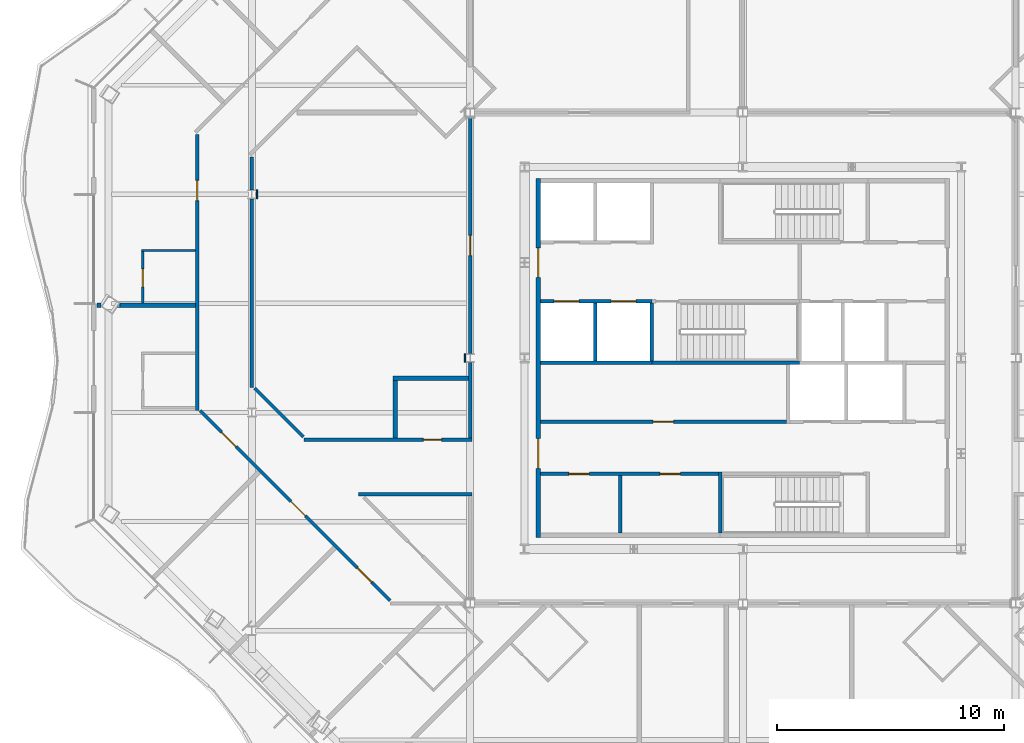
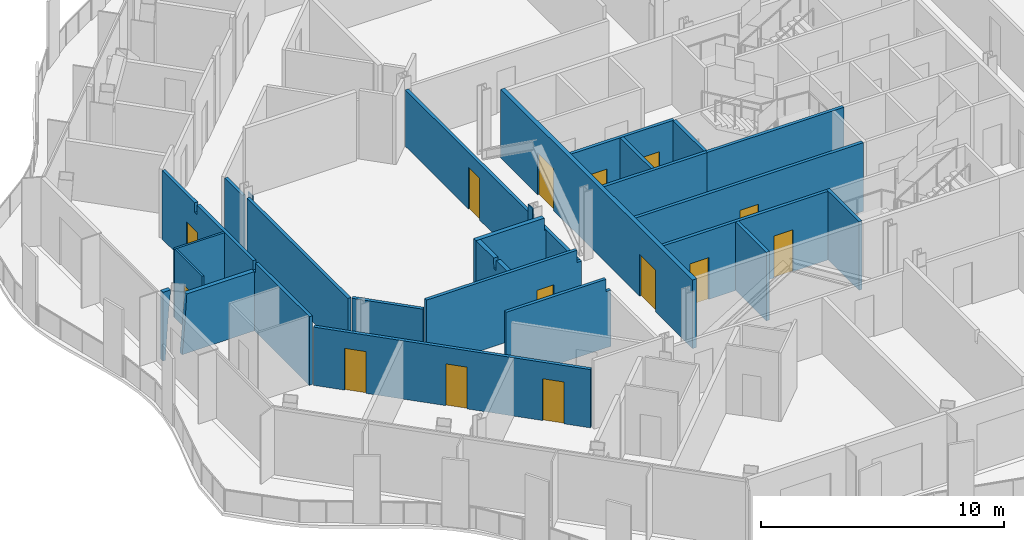
# One storey, part 8 of 21: 27 walls, 14 doors, 14 openings.
"""IFC4 building model written with IfcOpenShell, lengths in metres."""

from ifc_helpers import new_model, si_unit, direction, frame, frame_2d, origin, place, context, subcontext, project, spatial, polyline, rectangle, outline, extrude, material, layer, layer_set, type_object, element, fill, save


model = new_model("IFC4")

# Units and contexts
model_context = context("Model", 3, precision=1e-05, world=origin(), true_north=direction((0.0, 1.0)))
body_context = subcontext(model_context, "Body", "Model", "MODEL_VIEW")
ifc_project = project(units=[si_unit("LENGTHUNIT", "METRE"), si_unit("AREAUNIT", "SQUARE_METRE"), si_unit("VOLUMEUNIT", "CUBIC_METRE"), si_unit("PLANEANGLEUNIT", "RADIAN"), si_unit("MASSUNIT", "GRAM", prefix="KILO")], contexts=[model_context])

# Site, building, storey
site_placement = place(None, origin())
site = spatial("IfcSite", under=ifc_project, at=site_placement, CompositionType="ELEMENT")
building_placement = place(site_placement, origin())
building = spatial("IfcBuilding", under=site, at=building_placement, Name="Cairn Pilgrim Tower", CompositionType="ELEMENT")
storey_placement = place(building_placement, frame((0.0, 0.0, 172.199951171875)))
storey = spatial("IfcBuildingStorey", under=building, at=storey_placement, Name="L43", CompositionType="ELEMENT", Elevation=172.199951171875)

# Wall, openings, doors
ifc_material_1 = material(Name="Concrete C32/40", Category="concrete")
ifc_layer_1 = layer(ifc_material_1, 0.199951171875)
ifc_layer_set_1 = layer_set([ifc_layer_1], Name="CORE OUTER WALL 200 EI 120")
wall_type_1 = type_object("IfcWallType", Name="CORE OUTER WALL 200 EI 120", PredefinedType="SOLIDWALL", material=ifc_layer_set_1)
wall_1_placement = place(storey_placement, frame((-1.800048828125, -5.5, 0.0), z_axis=(0.0, 0.0, 1.0), x_axis=(0.0, 1.0, 0.0)))
wall_1 = element("IfcWall", 1, at=wall_1_placement, inside=storey, type_object=wall_type_1, Name="CW:L43:V13", PredefinedType="SOLIDWALL", context=body_context, shape_type="SweptSolid", body=[
    extrude(rectangle(XDim=15.800048828125, YDim=0.199951171875, at=frame_2d((7.89990234375, 0.0))), origin(), (0.0, 0.0, 1.0), 3.449951171875),
])
opening_1_placement = place(wall_1_placement, frame((3.050048828125, 0.0, 0.0)))
opening_1 = element("IfcOpeningElement", 2, at=opening_1_placement, cuts=wall_1, Name="Opening CD-W1", PredefinedType="OPENING", context=body_context, shape_type="SweptSolid", body=[
    extrude(rectangle(XDim=1.300048828125, YDim=2.10009765625, at=frame_2d((0.64990234375, 1.050048828125))), frame((0.0, 0.10986328125, 0.0), z_axis=(0.0, -1.0, 0.0), x_axis=(1.0, 0.0, 0.0)), (0.0, 0.0, 1.0), 0.219970703125),
])
opening_2_placement = place(wall_1_placement, frame((11.449951171875, 0.0, 0.0)))
opening_2 = element("IfcOpeningElement", 3, at=opening_2_placement, cuts=wall_1, Name="Opening CD-W2", PredefinedType="OPENING", context=body_context, shape_type="SweptSolid", body=[
    extrude(rectangle(XDim=1.300048828125, YDim=2.10009765625, at=frame_2d((0.64990234375, 1.050048828125))), frame((0.0, 0.10986328125, 0.0), z_axis=(0.0, -1.0, 0.0), x_axis=(1.0, 0.0, 0.0)), (0.0, 0.0, 1.0), 0.219970703125),
])
ifc_material_2 = material(Name="Painted steel", Category="steel")
door_type_1 = type_object("IfcDoorType", Name="CORE LOBBY DOOR 1300x2100", OperationType="DOUBLE_DOOR_SINGLE_SWING", PredefinedType="DOOR", material=ifc_material_2)
door_1_placement = place(opening_1_placement, origin())
door_1 = element("IfcDoor", 4, at=door_1_placement, inside=storey, type_object=door_type_1, Name="CD-W1", OperationType="DOUBLE_DOOR_SINGLE_SWING", OverallHeight=2.10009765625, OverallWidth=1.300048828125, PredefinedType="DOOR", context=body_context, shape_type="SweptSolid", body=[
    extrude(rectangle(XDim=1.300048828125, YDim=2.10009765625, at=frame_2d((0.64990234375, 1.050048828125))), frame((0.0, 0.02490234375, 0.0), z_axis=(0.0, -1.0, 0.0), x_axis=(1.0, 0.0, 0.0)), (0.0, 0.0, 1.0), 0.050048828125),
])
fill(opening_1, door_1)
door_2_placement = place(opening_2_placement, origin())
door_2 = element("IfcDoor", 5, at=door_2_placement, inside=storey, type_object=door_type_1, Name="CD-W2", OperationType="DOUBLE_DOOR_SINGLE_SWING", OverallHeight=2.10009765625, OverallWidth=1.300048828125, PredefinedType="DOOR", context=body_context, shape_type="SweptSolid", body=[
    extrude(rectangle(XDim=1.300048828125, YDim=2.10009765625, at=frame_2d((0.64990234375, 1.050048828125))), frame((0.0, 0.02490234375, 0.0), z_axis=(0.0, -1.0, 0.0), x_axis=(1.0, 0.0, 0.0)), (0.0, 0.0, 1.0), 0.050048828125),
])
fill(opening_2, door_2)

ifc_layer_2 = layer(ifc_material_1, 0.14990234375)
ifc_layer_set_2 = layer_set([ifc_layer_2], Name="CORE PARTITION 150 EI 60")
wall_type_2 = type_object("IfcWallType", Name="CORE PARTITION 150 EI 60", PredefinedType="PARTITIONING", material=ifc_layer_set_2)
wall_2_placement = place(storey_placement, frame((-1.699951171875, -2.699951171875, 0.0), z_axis=(0.0, 0.0, 1.0), x_axis=(1.0, 0.0, 0.0)))
wall_2 = element("IfcWall", 6, at=wall_2_placement, inside=storey, type_object=wall_type_2, Name="CW:L43:H02", PredefinedType="PARTITIONING", context=body_context, shape_type="SweptSolid", body=[
    extrude(rectangle(XDim=7.824951171875, YDim=0.14990234375, at=frame_2d((3.91259765625, 0.0))), origin(), (0.0, 0.0, 1.0), 3.449951171875),
])
opening_3_placement = place(wall_2_placement, frame((1.25, 0.0, 0.0)))
opening_3 = element("IfcOpeningElement", 7, at=opening_3_placement, cuts=wall_2, Name="Opening RD-R1W1", PredefinedType="OPENING", context=body_context, shape_type="SweptSolid", body=[
    extrude(rectangle(XDim=0.89990234375, YDim=2.10009765625, at=frame_2d((0.449951171875, 1.050048828125))), frame((0.0, 0.0849609375, 0.0), z_axis=(0.0, -1.0, 0.0), x_axis=(1.0, 0.0, 0.0)), (0.0, 0.0, 1.0), 0.169921875),
])
opening_4_placement = place(wall_2_placement, frame((5.25, 0.0, 0.0)))
opening_4 = element("IfcOpeningElement", 8, at=opening_4_placement, cuts=wall_2, Name="Opening RD-R1W2", PredefinedType="OPENING", context=body_context, shape_type="SweptSolid", body=[
    extrude(rectangle(XDim=0.89990234375, YDim=2.10009765625, at=frame_2d((0.449951171875, 1.050048828125))), frame((0.0, 0.0849609375, 0.0), z_axis=(0.0, -1.0, 0.0), x_axis=(1.0, 0.0, 0.0)), (0.0, 0.0, 1.0), 0.169921875),
])
door_type_2 = type_object("IfcDoorType", Name="SERVICE ROOM DOOR 900x2100", OperationType="SINGLE_SWING_LEFT", PredefinedType="DOOR", material=ifc_material_2)
door_3_placement = place(opening_3_placement, origin())
door_3 = element("IfcDoor", 9, at=door_3_placement, inside=storey, type_object=door_type_2, Name="RD-R1W1", OperationType="SINGLE_SWING_RIGHT", OverallHeight=2.10009765625, OverallWidth=0.89990234375, PredefinedType="DOOR", context=body_context, shape_type="SweptSolid", body=[
    extrude(rectangle(XDim=0.89990234375, YDim=2.10009765625, at=frame_2d((0.449951171875, 1.050048828125))), frame((0.0, 0.02490234375, 0.0), z_axis=(0.0, -1.0, 0.0), x_axis=(1.0, 0.0, 0.0)), (0.0, 0.0, 1.0), 0.050048828125),
])
fill(opening_3, door_3)
door_4_placement = place(opening_4_placement, origin())
door_4 = element("IfcDoor", 10, at=door_4_placement, inside=storey, type_object=door_type_2, Name="RD-R1W2", OperationType="SINGLE_SWING_LEFT", OverallHeight=2.10009765625, OverallWidth=0.89990234375, PredefinedType="DOOR", context=body_context, shape_type="SweptSolid", body=[
    extrude(rectangle(XDim=0.89990234375, YDim=2.10009765625, at=frame_2d((0.449951171875, 1.050048828125))), frame((0.0, 0.02490234375, 0.0), z_axis=(0.0, -1.0, 0.0), x_axis=(1.0, 0.0, 0.0)), (0.0, 0.0, 1.0), 0.050048828125),
])
fill(opening_4, door_4)

# Wall, opening, door
wall_3_placement = place(storey_placement, frame((-1.699951171875, -0.39990234375, 0.0), z_axis=(0.0, 0.0, 1.0), x_axis=(1.0, 0.0, 0.0)))
wall_3 = element("IfcWall", 11, at=wall_3_placement, inside=storey, type_object=wall_type_2, Name="CW:L43:H04", PredefinedType="PARTITIONING", context=body_context, shape_type="SweptSolid", body=[
    extrude(rectangle(XDim=10.824951171875, YDim=0.14990234375, at=frame_2d((5.41259765625, 0.0))), origin(), (0.0, 0.0, 1.0), 3.449951171875),
])
opening_5_placement = place(wall_3_placement, frame((4.949951171875, 0.0, 0.0)))
opening_5 = element("IfcOpeningElement", 12, at=opening_5_placement, cuts=wall_3, Name="Opening RD-R2W1", PredefinedType="OPENING", context=body_context, shape_type="SweptSolid", body=[
    extrude(rectangle(XDim=0.89990234375, YDim=2.10009765625, at=frame_2d((0.449951171875, 1.050048828125))), frame((0.0, 0.0849609375, 0.0), z_axis=(0.0, -1.0, 0.0), x_axis=(1.0, 0.0, 0.0)), (0.0, 0.0, 1.0), 0.169921875),
])
door_5_placement = place(opening_5_placement, origin())
door_5 = element("IfcDoor", 13, at=door_5_placement, inside=storey, type_object=door_type_2, Name="RD-R2W1", OperationType="SINGLE_SWING_RIGHT", OverallHeight=2.10009765625, OverallWidth=0.89990234375, PredefinedType="DOOR", context=body_context, shape_type="SweptSolid", body=[
    extrude(rectangle(XDim=0.89990234375, YDim=2.10009765625, at=frame_2d((0.449951171875, 1.050048828125))), frame((0.0, 0.02490234375, 0.0), z_axis=(0.0, -1.0, 0.0), x_axis=(1.0, 0.0, 0.0)), (0.0, 0.0, 1.0), 0.050048828125),
])
fill(opening_5, door_5)

# Walls
wall_4_placement = place(storey_placement, frame((1.800048828125, -5.300048828125, 0.0), z_axis=(0.0, 0.0, 1.0), x_axis=(0.0, 1.0, 0.0)))
element("IfcWall", 14, at=wall_4_placement, inside=storey, type_object=wall_type_2, Name="CW:L43:V16", PredefinedType="PARTITIONING", context=body_context, shape_type="SweptSolid", body=[
    extrude(rectangle(XDim=2.525146484375, YDim=0.14990234375, at=frame_2d((1.2626953125, 0.0))), origin(), (0.0, 0.0, 1.0), 3.449951171875),
])
ifc_layer_3 = layer(ifc_material_1, 0.14990234375)
ifc_layer_set_3 = layer_set([ifc_layer_3], Name="CORE SHAFT WALL 150 EI 120")
wall_type_3 = type_object("IfcWallType", Name="CORE SHAFT WALL 150 EI 120", PredefinedType="SOLIDWALL", material=ifc_layer_set_3)
wall_5_placement = place(storey_placement, frame((-1.699951171875, 2.199951171875, 0.0), z_axis=(0.0, 0.0, 1.0), x_axis=(1.0, 0.0, 0.0)))
element("IfcWall", 15, at=wall_5_placement, inside=storey, type_object=wall_type_3, Name="CW:L43:H07-1", PredefinedType="SOLIDWALL", context=body_context, shape_type="SweptSolid", body=[
    extrude(rectangle(XDim=4.89990234375, YDim=0.14990234375, at=frame_2d((2.449951171875, 0.0))), origin(), (0.0, 0.0, 1.0), 3.449951171875),
])

# Wall, openings, doors
wall_6_placement = place(storey_placement, frame((-1.699951171875, 4.89990234375, 0.0), z_axis=(0.0, 0.0, 1.0), x_axis=(1.0, 0.0, 0.0)))
wall_6 = element("IfcWall", 16, at=wall_6_placement, inside=storey, type_object=wall_type_3, Name="CW:L43:H09-1", PredefinedType="SOLIDWALL", context=body_context, shape_type="SweptSolid", body=[
    extrude(rectangle(XDim=4.89990234375, YDim=0.14990234375, at=frame_2d((2.449951171875, 0.0))), origin(), (0.0, 0.0, 1.0), 3.449951171875),
])
opening_6_placement = place(wall_6_placement, frame((0.60009765625, 0.0, 0.0)))
opening_6 = element("IfcOpeningElement", 17, at=opening_6_placement, cuts=wall_6, Name="Opening LD-HR1", PredefinedType="OPENING", context=body_context, shape_type="SweptSolid", body=[
    extrude(rectangle(XDim=1.10009765625, YDim=2.10009765625, at=frame_2d((0.550048828125, 1.050048828125))), frame((0.0, 0.0849609375, 0.0), z_axis=(0.0, -1.0, 0.0), x_axis=(1.0, 0.0, 0.0)), (0.0, 0.0, 1.0), 0.169921875),
])
opening_7_placement = place(wall_6_placement, frame((3.10009765625, 0.0, 0.0)))
opening_7 = element("IfcOpeningElement", 18, at=opening_7_placement, cuts=wall_6, Name="Opening LD-HR2", PredefinedType="OPENING", context=body_context, shape_type="SweptSolid", body=[
    extrude(rectangle(XDim=1.10009765625, YDim=2.10009765625, at=frame_2d((0.550048828125, 1.050048828125))), frame((0.0, 0.0849609375, 0.0), z_axis=(0.0, -1.0, 0.0), x_axis=(1.0, 0.0, 0.0)), (0.0, 0.0, 1.0), 0.169921875),
])
ifc_material_3 = material(Name="Stainless steel", Category="steel")
door_type_3 = type_object("IfcDoorType", Name="LIFT LANDING DOOR 1100x2100", OperationType="DOUBLE_DOOR_SLIDING", PredefinedType="DOOR", material=ifc_material_3)
door_6_placement = place(opening_6_placement, origin())
door_6 = element("IfcDoor", 19, at=door_6_placement, inside=storey, type_object=door_type_3, Name="LANDING DOOR HR1", OperationType="DOUBLE_DOOR_SLIDING", OverallHeight=2.10009765625, OverallWidth=1.10009765625, PredefinedType="DOOR", context=body_context, shape_type="SweptSolid", body=[
    extrude(rectangle(XDim=1.10009765625, YDim=2.10009765625, at=frame_2d((0.550048828125, 1.050048828125))), frame((0.0, 0.02490234375, 0.0), z_axis=(0.0, -1.0, 0.0), x_axis=(1.0, 0.0, 0.0)), (0.0, 0.0, 1.0), 0.050048828125),
])
fill(opening_6, door_6)
door_7_placement = place(opening_7_placement, origin())
door_7 = element("IfcDoor", 20, at=door_7_placement, inside=storey, type_object=door_type_3, Name="LANDING DOOR HR2", OperationType="DOUBLE_DOOR_SLIDING", OverallHeight=2.10009765625, OverallWidth=1.10009765625, PredefinedType="DOOR", context=body_context, shape_type="SweptSolid", body=[
    extrude(rectangle(XDim=1.10009765625, YDim=2.10009765625, at=frame_2d((0.550048828125, 1.050048828125))), frame((0.0, 0.02490234375, 0.0), z_axis=(0.0, -1.0, 0.0), x_axis=(1.0, 0.0, 0.0)), (0.0, 0.0, 1.0), 0.050048828125),
])
fill(opening_7, door_7)

# Wall
wall_7_placement = place(storey_placement, frame((0.699951171875, 2.27490234375, 0.0), z_axis=(0.0, 0.0, 1.0), x_axis=(0.0, 1.0, 0.0)))
element("IfcWall", 21, at=wall_7_placement, inside=storey, type_object=wall_type_3, Name="CW:L43:V14", PredefinedType="SOLIDWALL", context=body_context, shape_type="SweptSolid", body=[
    extrude(rectangle(XDim=2.550048828125, YDim=0.14990234375, at=frame_2d((1.27490234375, 0.0))), origin(), (0.0, 0.0, 1.0), 3.449951171875),
])

# Wall, opening, door
ifc_material_4 = material(Name="Gypsum partition")
ifc_layer_4 = layer(ifc_material_4, 0.10009765625)
ifc_layer_set_4 = layer_set([ifc_layer_4], Name="PARTITION 100 DRYWALL")
wall_type_4 = type_object("IfcWallType", Name="PARTITION 100 DRYWALL", PredefinedType="PARTITIONING", material=ifc_layer_set_4)
wall_8_placement = place(storey_placement, frame((-19.199951171875, 4.824951171875, 0.0), z_axis=(0.0, 0.0, 1.0), x_axis=(0.0, 1.0, 0.0)))
wall_8 = element("IfcWall", 22, at=wall_8_placement, inside=storey, type_object=wall_type_4, Name="PARTITION W068", PredefinedType="PARTITIONING", context=body_context, shape_type="SweptSolid", body=[
    extrude(rectangle(XDim=2.25, YDim=0.10009765625, at=frame_2d((1.125, 0.0))), origin(), (0.0, 0.0, 1.0), 3.449951171875),
])
opening_8_placement = place(wall_8_placement, frame((0.699951171875, 0.0, 0.0)))
opening_8 = element("IfcOpeningElement", 23, at=opening_8_placement, cuts=wall_8, Name="Opening 4320A", PredefinedType="OPENING", context=body_context, shape_type="SweptSolid", body=[
    extrude(rectangle(XDim=0.800048828125, YDim=2.10009765625, at=frame_2d((0.39990234375, 1.050048828125))), frame((0.0, 0.06005859375, 0.0), z_axis=(0.0, -1.0, 0.0), x_axis=(1.0, 0.0, 0.0)), (0.0, 0.0, 1.0), 0.1201171875),
])
ifc_material_5 = material(Name="Timber door leaf", Category="wood")
door_type_4 = type_object("IfcDoorType", Name="WC DOOR 800x2100", OperationType="NOTDEFINED", PredefinedType="DOOR", material=ifc_material_5)
door_8_placement = place(opening_8_placement, origin())
door_8 = element("IfcDoor", 24, at=door_8_placement, inside=storey, type_object=door_type_4, Name="DOOR 4320A", OperationType="SINGLE_SWING_RIGHT", OverallHeight=2.10009765625, OverallWidth=0.800048828125, PredefinedType="DOOR", context=body_context, shape_type="SweptSolid", body=[
    extrude(rectangle(XDim=0.800048828125, YDim=2.10009765625, at=frame_2d((0.39990234375, 1.050048828125))), frame((0.0, 0.02490234375, 0.0), z_axis=(0.0, -1.0, 0.0), x_axis=(1.0, 0.0, 0.0)), (0.0, 0.0, 1.0), 0.050048828125),
])
fill(opening_8, door_8)

# Wall
wall_9_placement = place(storey_placement, frame((-19.25, 7.125, 0.0), z_axis=(0.0, 0.0, 1.0), x_axis=(1.0, 0.0, 0.0)))
element("IfcWall", 25, at=wall_9_placement, inside=storey, type_object=wall_type_4, Name="PARTITION W071", PredefinedType="PARTITIONING", context=body_context, shape_type="SweptSolid", body=[
    extrude(rectangle(XDim=2.375, YDim=0.10009765625, at=frame_2d((1.1875, 0.0))), origin(), (0.0, 0.0, 1.0), 3.449951171875),
])

# Wall, openings, doors
ifc_layer_5 = layer(ifc_material_4, 0.14990234375)
ifc_layer_set_5 = layer_set([ifc_layer_5], Name="PARTITION 150 DRYWALL EI 60")
wall_type_5 = type_object("IfcWallType", Name="PARTITION 150 DRYWALL EI 60", PredefinedType="PARTITIONING", material=ifc_layer_set_5)
wall_10_placement = place(storey_placement, frame((-8.322021484375, -8.27197265625, 0.0), z_axis=(0.0, 0.0, 1.0), x_axis=(-0.707117118476, 0.707096443746, 0.0)))
wall_10 = element("IfcWall", 26, at=wall_10_placement, inside=storey, type_object=wall_type_5, Name="PARTITION W033", PredefinedType="PARTITIONING", context=body_context, shape_type="SweptSolid", body=[
    extrude(rectangle(XDim=11.80859375, YDim=0.14990234375, at=frame_2d((5.904296875, 0.0))), origin(), (0.0, 0.0, 1.0), 2.929931640625),
])
opening_9_placement = place(wall_10_placement, frame((9.579345703125, 0.0, 0.0)))
opening_9 = element("IfcOpeningElement", 27, at=opening_9_placement, cuts=wall_10, Name="Opening 4321", PredefinedType="OPENING", context=body_context, shape_type="SweptSolid", body=[
    extrude(rectangle(XDim=0.89990234375, YDim=2.10009765625, at=frame_2d((0.449951171875, 1.050048828125))), frame((0.0, 0.0849609375, 0.0), z_axis=(0.0, -1.0, 0.0), x_axis=(1.0, 0.0, 0.0)), (0.0, 0.0, 1.0), 0.169921875),
])
opening_10_placement = place(wall_10_placement, frame((5.263671875, 0.0, 0.0)))
opening_10 = element("IfcOpeningElement", 28, at=opening_10_placement, cuts=wall_10, Name="Opening 4322", PredefinedType="OPENING", context=body_context, shape_type="SweptSolid", body=[
    extrude(rectangle(XDim=0.89990234375, YDim=2.10009765625, at=frame_2d((0.449951171875, 1.050048828125))), frame((0.0, 0.0849609375, 0.0), z_axis=(0.0, -1.0, 0.0), x_axis=(1.0, 0.0, 0.0)), (0.0, 0.0, 1.0), 0.169921875),
])
opening_11_placement = place(wall_10_placement, frame((1.138916015625, 0.0, 0.0)))
opening_11 = element("IfcOpeningElement", 29, at=opening_11_placement, cuts=wall_10, Name="Opening 4323", PredefinedType="OPENING", context=body_context, shape_type="SweptSolid", body=[
    extrude(rectangle(XDim=0.89990234375, YDim=2.10009765625, at=frame_2d((0.449951171875, 1.050048828125))), frame((0.0, 0.0849609375, 0.0), z_axis=(0.0, -1.0, 0.0), x_axis=(1.0, 0.0, 0.0)), (0.0, 0.0, 1.0), 0.169921875),
])
door_type_5 = type_object("IfcDoorType", Name="ROOM DOOR 900x2100 FD30S", OperationType="NOTDEFINED", PredefinedType="DOOR", material=ifc_material_5)
door_9_placement = place(opening_9_placement, origin())
door_9 = element("IfcDoor", 30, at=door_9_placement, inside=storey, type_object=door_type_5, Name="DOOR 4321", OperationType="SINGLE_SWING_RIGHT", OverallHeight=2.10009765625, OverallWidth=0.89990234375, PredefinedType="DOOR", context=body_context, shape_type="SweptSolid", body=[
    extrude(rectangle(XDim=0.89990234375, YDim=2.10009765625, at=frame_2d((0.449951171875, 1.050048828125))), frame((0.0, 0.02490234375, 0.0), z_axis=(0.0, -1.0, 0.0), x_axis=(1.0, 0.0, 0.0)), (0.0, 0.0, 1.0), 0.050048828125),
])
fill(opening_9, door_9)
door_type_6 = type_object("IfcDoorType", Name="SERVICE DOOR 900x2100 FD30S", OperationType="NOTDEFINED", PredefinedType="DOOR", material=ifc_material_5)
door_10_placement = place(opening_10_placement, origin())
door_10 = element("IfcDoor", 31, at=door_10_placement, inside=storey, type_object=door_type_6, Name="DOOR 4322", OperationType="SINGLE_SWING_RIGHT", OverallHeight=2.10009765625, OverallWidth=0.89990234375, PredefinedType="DOOR", context=body_context, shape_type="SweptSolid", body=[
    extrude(rectangle(XDim=0.89990234375, YDim=2.10009765625, at=frame_2d((0.449951171875, 1.050048828125))), frame((0.0, 0.02490234375, 0.0), z_axis=(0.0, -1.0, 0.0), x_axis=(1.0, 0.0, 0.0)), (0.0, 0.0, 1.0), 0.050048828125),
])
fill(opening_10, door_10)
door_11_placement = place(opening_11_placement, origin())
door_11 = element("IfcDoor", 32, at=door_11_placement, inside=storey, type_object=door_type_6, Name="DOOR 4323", OperationType="SINGLE_SWING_RIGHT", OverallHeight=2.10009765625, OverallWidth=0.89990234375, PredefinedType="DOOR", context=body_context, shape_type="SweptSolid", body=[
    extrude(rectangle(XDim=0.89990234375, YDim=2.10009765625, at=frame_2d((0.449951171875, 1.050048828125))), frame((0.0, 0.02490234375, 0.0), z_axis=(0.0, -1.0, 0.0), x_axis=(1.0, 0.0, 0.0)), (0.0, 0.0, 1.0), 0.050048828125),
])
fill(opening_11, door_11)

# Wall
wall_11_placement = place(storey_placement, frame((-9.7060546875, -3.60009765625, 0.0), z_axis=(0.0, 0.0, 1.0), x_axis=(1.0, 0.0, 0.0)))
element("IfcWall", 33, at=wall_11_placement, inside=storey, type_object=wall_type_5, Name="PARTITION W041", PredefinedType="PARTITIONING", context=body_context, shape_type="SweptSolid", body=[
    extrude(outline(polyline([(0.0, 0.0), (4.98095703125, 0.0), (4.981201171875, 2.830078125), (4.756103515625, 2.830078125), (4.754150390625, 3.449951171875), (0.0, 3.449951171875), (0.0, 0.0)])), frame((0.0, 0.074951171875, 0.0), z_axis=(0.0, -1.0, 0.0), x_axis=(1.0, 0.0, 0.0)), (0.0, 0.0, 1.0), 0.14990234375),
])

# Wall, opening, door
wall_12_placement = place(storey_placement, frame((-12.106201171875, -1.199951171875, 0.0), z_axis=(0.0, 0.0, 1.0), x_axis=(1.0, 0.0, 0.0)))
wall_12 = element("IfcWall", 34, at=wall_12_placement, inside=storey, type_object=wall_type_5, Name="PARTITION W043", PredefinedType="PARTITIONING", context=body_context, shape_type="SweptSolid", body=[
    extrude(outline(polyline([(0.0, 0.0), (7.381103515625, 0.0), (7.381103515625, 2.830078125), (7.156005859375, 2.830078125), (7.154052734375, 3.449951171875), (0.0, 3.449951171875), (0.0, 0.0)])), frame((0.0, 0.074951171875, 0.0), z_axis=(0.0, -1.0, 0.0), x_axis=(1.0, 0.0, 0.0)), (0.0, 0.0, 1.0), 0.14990234375),
])
opening_12_placement = place(wall_12_placement, frame((5.256103515625, 0.0, 0.0)))
opening_12 = element("IfcOpeningElement", 35, at=opening_12_placement, cuts=wall_12, Name="Opening 4328", PredefinedType="OPENING", context=body_context, shape_type="SweptSolid", body=[
    extrude(rectangle(XDim=0.800048828125, YDim=2.10009765625, at=frame_2d((0.39990234375, 1.050048828125))), frame((0.0, 0.0849609375, 0.0), z_axis=(0.0, -1.0, 0.0), x_axis=(1.0, 0.0, 0.0)), (0.0, 0.0, 1.0), 0.169921875),
])
door_type_7 = type_object("IfcDoorType", Name="WC DOOR 800x2100 FD30S", OperationType="NOTDEFINED", PredefinedType="DOOR", material=ifc_material_5)
door_12_placement = place(opening_12_placement, origin())
door_12 = element("IfcDoor", 36, at=door_12_placement, inside=storey, type_object=door_type_7, Name="DOOR 4328", OperationType="SINGLE_SWING_RIGHT", OverallHeight=2.10009765625, OverallWidth=0.800048828125, PredefinedType="DOOR", context=body_context, shape_type="SweptSolid", body=[
    extrude(rectangle(XDim=0.800048828125, YDim=2.10009765625, at=frame_2d((0.39990234375, 1.050048828125))), frame((0.0, 0.02490234375, 0.0), z_axis=(0.0, -1.0, 0.0), x_axis=(1.0, 0.0, 0.0)), (0.0, 0.0, 1.0), 0.050048828125),
])
fill(opening_12, door_12)

# Walls
wall_13_placement = place(storey_placement, frame((-12.1279296875, -1.072021484375, 0.0), z_axis=(0.0, 0.0, 1.0), x_axis=(-0.707106781187, 0.707106781187, 0.0)))
element("IfcWall", 37, at=wall_13_placement, inside=storey, type_object=wall_type_5, Name="PARTITION W045", PredefinedType="PARTITIONING", context=body_context, shape_type="SweptSolid", body=[
    extrude(rectangle(XDim=3.0322265625, YDim=0.14990234375, at=frame_2d((1.51611328125, 0.0))), origin(), (0.0, 0.0, 1.0), 2.929931640625),
])
wall_14_placement = place(storey_placement, frame((-4.800048828125, -1.125, 0.0), z_axis=(0.0, 0.0, 1.0), x_axis=(0.0, 1.0, 0.0)))
element("IfcWall", 38, at=wall_14_placement, inside=storey, type_object=wall_type_5, Name="PARTITION W047", PredefinedType="PARTITIONING", context=body_context, shape_type="SweptSolid", body=[
    extrude(rectangle(XDim=3.32861328125, YDim=0.14990234375, at=frame_2d((1.664306640625, 0.0))), origin(), (0.0, 0.0, 1.0), 2.830078125),
])

# Wall, opening, door
wall_15_placement = place(storey_placement, frame((-16.800048828125, 0.099853515625, 0.0), z_axis=(0.0, 0.0, 1.0), x_axis=(0.0, 1.0, 0.0)))
wall_15 = element("IfcWall", 39, at=wall_15_placement, inside=storey, type_object=wall_type_5, Name="PARTITION W051", PredefinedType="PARTITIONING", context=body_context, shape_type="SweptSolid", body=[
    extrude(outline(polyline([(0.0, 0.0), (12.131103515625, 0.0), (12.131103515625, 3.449951171875), (9.445068359375, 3.449951171875), (9.443115234375, 2.97998046875), (9.255126953125, 2.97998046875), (9.253173828125, 3.449951171875), (4.64501953125, 3.449951171875), (4.64306640625, 2.97998046875), (4.455078125, 2.97998046875), (4.453125, 3.449951171875), (0.0, 3.449951171875), (0.0, 0.0)])), frame((0.0, 0.074951171875, 0.0), z_axis=(0.0, -1.0, 0.0), x_axis=(1.0, 0.0, 0.0)), (0.0, 0.0, 1.0), 0.14990234375),
])
opening_13_placement = place(wall_15_placement, frame((9.218017578125, 0.0, 0.0)))
opening_13 = element("IfcOpeningElement", 40, at=opening_13_placement, cuts=wall_15, Name="Opening 4320", PredefinedType="OPENING", context=body_context, shape_type="SweptSolid", body=[
    extrude(rectangle(XDim=0.89990234375, YDim=2.10009765625, at=frame_2d((0.449951171875, 1.050048828125))), frame((0.0, 0.0849609375, 0.0), z_axis=(0.0, -1.0, 0.0), x_axis=(1.0, 0.0, 0.0)), (0.0, 0.0, 1.0), 0.169921875),
])
door_13_placement = place(opening_13_placement, origin())
door_13 = element("IfcDoor", 41, at=door_13_placement, inside=storey, type_object=door_type_5, Name="DOOR 4320", OperationType="SINGLE_SWING_RIGHT", OverallHeight=2.10009765625, OverallWidth=0.89990234375, PredefinedType="DOOR", context=body_context, shape_type="SweptSolid", body=[
    extrude(rectangle(XDim=0.89990234375, YDim=2.10009765625, at=frame_2d((0.449951171875, 1.050048828125))), frame((0.0, 0.02490234375, 0.0), z_axis=(0.0, -1.0, 0.0), x_axis=(1.0, 0.0, 0.0)), (0.0, 0.0, 1.0), 0.050048828125),
])
fill(opening_13, door_13)

# Wall
wall_16_placement = place(storey_placement, frame((-14.39990234375, 1.093994140625, 0.0), z_axis=(0.0, 0.0, 1.0), x_axis=(0.0, 1.0, 0.0)))
element("IfcWall", 42, at=wall_16_placement, inside=storey, type_object=wall_type_5, Name="PARTITION W055", PredefinedType="PARTITIONING", context=body_context, shape_type="SweptSolid", body=[
    extrude(rectangle(XDim=8.3095703125, YDim=0.14990234375, at=frame_2d((4.15478515625, 0.0))), origin(), (0.0, 0.0, 1.0), 2.929931640625),
])

# Wall, opening, door
wall_17_placement = place(storey_placement, frame((-4.800048828125, 2.596435546875, 0.0), z_axis=(0.0, 0.0, 1.0), x_axis=(0.0, 1.0, 0.0)))
wall_17 = element("IfcWall", 43, at=wall_17_placement, inside=storey, type_object=wall_type_5, Name="PARTITION W061", PredefinedType="PARTITIONING", context=body_context, shape_type="SweptSolid", body=[
    extrude(rectangle(XDim=10.406982421875, YDim=0.14990234375, at=frame_2d((5.20361328125, 0.0))), origin(), (0.0, 0.0, 1.0), 2.830078125),
])
opening_14_placement = place(wall_17_placement, frame((4.303466796875, 0.0, 0.0)))
opening_14 = element("IfcOpeningElement", 44, at=opening_14_placement, cuts=wall_17, Name="Opening 4337", PredefinedType="OPENING", context=body_context, shape_type="SweptSolid", body=[
    extrude(rectangle(XDim=0.89990234375, YDim=2.10009765625, at=frame_2d((0.449951171875, 1.050048828125))), frame((0.0, 0.0849609375, 0.0), z_axis=(0.0, -1.0, 0.0), x_axis=(1.0, 0.0, 0.0)), (0.0, 0.0, 1.0), 0.169921875),
])
door_14_placement = place(opening_14_placement, origin())
door_14 = element("IfcDoor", 45, at=door_14_placement, inside=storey, type_object=door_type_6, Name="DOOR 4337", OperationType="SINGLE_SWING_LEFT", OverallHeight=2.10009765625, OverallWidth=0.89990234375, PredefinedType="DOOR", context=body_context, shape_type="SweptSolid", body=[
    extrude(rectangle(XDim=0.89990234375, YDim=2.10009765625, at=frame_2d((0.449951171875, 1.050048828125))), frame((0.0, 0.02490234375, 0.0), z_axis=(0.0, -1.0, 0.0), x_axis=(1.0, 0.0, 0.0)), (0.0, 0.0, 1.0), 0.050048828125),
])
fill(opening_14, door_14)

# Walls
wall_18_placement = place(storey_placement, frame((-14.39990234375, 9.79638671875, 0.0), z_axis=(0.0, 0.0, 1.0), x_axis=(0.0, 1.0, 0.0)))
element("IfcWall", 46, at=wall_18_placement, inside=storey, type_object=wall_type_5, Name="PARTITION W073", PredefinedType="PARTITIONING", context=body_context, shape_type="SweptSolid", body=[
    extrude(rectangle(XDim=1.4404296875, YDim=0.14990234375, at=frame_2d((0.72021484375, 0.0))), origin(), (0.0, 0.0, 1.0), 2.830078125),
])
ifc_layer_6 = layer(ifc_material_4, 0.050048828125)
ifc_layer_set_6 = layer_set([ifc_layer_6], Name="PARTITION 50 DRYWALL EI 60")
wall_type_6 = type_object("IfcWallType", Name="PARTITION 50 DRYWALL EI 60", PredefinedType="PARTITIONING", material=ifc_layer_set_6)
wall_19_placement = place(storey_placement, frame((-5.0244140625, 2.20361328125, 0.0), z_axis=(0.0, 0.0, 1.0), x_axis=(0.0, 1.0, 0.0)))
element("IfcWall", 47, at=wall_19_placement, inside=storey, type_object=wall_type_6, Name="COLUMN CASING WC14", PredefinedType="PARTITIONING", context=body_context, shape_type="SweptSolid", body=[
    extrude(rectangle(XDim=0.392822265625, YDim=0.050048828125, at=frame_2d((0.1962890625, 0.0))), origin(), (0.0, 0.0, 1.0), 3.449951171875),
])
wall_20_placement = place(storey_placement, frame((-14.175537109375, 9.403564453125, 0.0), z_axis=(0.0, 0.0, 1.0), x_axis=(0.0, 1.0, 0.0)))
element("IfcWall", 48, at=wall_20_placement, inside=storey, type_object=wall_type_6, Name="COLUMN CASING WC20", PredefinedType="PARTITIONING", context=body_context, shape_type="SweptSolid", body=[
    extrude(rectangle(XDim=0.392822265625, YDim=0.050048828125, at=frame_2d((0.1962890625, 0.0))), origin(), (0.0, 0.0, 1.0), 2.929931640625),
])
ifc_layer_7 = layer(ifc_material_4, 0.199951171875)
ifc_layer_set_7 = layer_set([ifc_layer_7], Name="SHAFT WALL 200 GYPSUM EI 60")
wall_type_7 = type_object("IfcWallType", Name="SHAFT WALL 200 GYPSUM EI 60", PredefinedType="PARTITIONING", material=ifc_layer_set_7)
wall_21_placement = place(storey_placement, frame((-8.10009765625, -1.125, 0.0), z_axis=(0.0, 0.0, 1.0), x_axis=(0.0, 1.0, 0.0)))
element("IfcWall", 49, at=wall_21_placement, inside=storey, type_object=wall_type_7, Name="PARTITION W046", PredefinedType="PARTITIONING", context=body_context, shape_type="SweptSolid", body=[
    extrude(outline(polyline([(0.0, 0.0), (2.52490234375, 0.0), (2.52490234375, 3.449951171875), (1.074951171875, 3.449951171875), (1.072998046875, 2.929931640625), (0.875, 2.929931640625), (0.873046875, 3.449951171875), (0.0, 3.449951171875), (0.0, 0.0)])), frame((0.0, 0.10009765625, 0.0), z_axis=(0.0, -1.0, 0.0), x_axis=(1.0, 0.0, 0.0)), (0.0, 0.0, 1.0), 0.199951171875),
])
wall_22_placement = place(storey_placement, frame((-8.199951171875, 1.5, 0.0), z_axis=(0.0, 0.0, 1.0), x_axis=(1.0, 0.0, 0.0)))
element("IfcWall", 50, at=wall_22_placement, inside=storey, type_object=wall_type_7, Name="PARTITION W059", PredefinedType="PARTITIONING", context=body_context, shape_type="SweptSolid", body=[
    extrude(outline(polyline([(0.0, 0.0), (3.324951171875, 0.0), (3.324951171875, 2.830078125), (3.25, 2.830078125), (3.248046875, 3.449951171875), (0.0, 3.449951171875), (0.0, 0.0)])), frame((0.0, 0.10009765625, 0.0), z_axis=(0.0, -1.0, 0.0), x_axis=(1.0, 0.0, 0.0)), (0.0, 0.0, 1.0), 0.199951171875),
])
wall_23_placement = place(storey_placement, frame((-21.219970703125, 4.72509765625, 0.0), z_axis=(0.0, 0.0, 1.0), x_axis=(1.0, 0.0, 0.0)))
element("IfcWall", 51, at=wall_23_placement, inside=storey, type_object=wall_type_7, Name="PARTITION W065", PredefinedType="PARTITIONING", context=body_context, shape_type="SweptSolid", body=[
    extrude(outline(polyline([(0.0, 0.0), (0.11279296875, 0.0), (0.16650390625, 0.862548828125), (0.220458984375, 1.72509765625), (0.288818359375, 2.587646484375), (0.36669921875, 3.449951171875), (0.0, 3.449951171875), (0.0, 2.587646484375), (0.0, 1.72509765625), (0.0, 0.862548828125), (0.0, 0.0)])), frame((0.0, 0.10009765625, 0.0), z_axis=(0.0, -1.0, 0.0), x_axis=(1.0, 0.0, 0.0)), (0.0, 0.0, 1.0), 0.199951171875),
])
wall_24_placement = place(storey_placement, frame((-20.30810546875, 4.72509765625, 0.0), z_axis=(0.0, 0.0, 1.0), x_axis=(1.0, 0.0, 0.0)))
element("IfcWall", 52, at=wall_24_placement, inside=storey, type_object=wall_type_7, Name="PARTITION W066", PredefinedType="PARTITIONING", context=body_context, shape_type="SweptSolid", body=[
    extrude(outline(polyline([(0.0, 0.0), (3.43310546875, 0.0), (3.43310546875, 0.862548828125), (3.43310546875, 1.72509765625), (3.43310546875, 2.587646484375), (3.43310546875, 2.97998046875), (0.220703125, 2.97998046875), (0.196044921875, 2.587646484375), (0.14208984375, 1.72509765625), (0.077880859375, 0.862548828125), (0.0, 0.0)])), frame((0.0, 0.10009765625, 0.0), z_axis=(0.0, -1.0, 0.0), x_axis=(1.0, 0.0, 0.0)), (0.0, 0.0, 1.0), 0.199951171875),
])
ifc_material_6 = material(Name="Concrete C35/45", Category="concrete")
ifc_layer_8 = layer(ifc_material_6, 0.14990234375)
ifc_layer_set_8 = layer_set([ifc_layer_8], Name="STAIR SHAFT WALL 150 EI 120")
wall_type_8 = type_object("IfcWallType", Name="STAIR SHAFT WALL 150 EI 120", PredefinedType="SOLIDWALL", material=ifc_layer_set_8)
wall_25_placement = place(storey_placement, frame((3.199951171875, 2.199951171875, 0.0), z_axis=(0.0, 0.0, 1.0), x_axis=(1.0, 0.0, 0.0)))
element("IfcWall", 53, at=wall_25_placement, inside=storey, type_object=wall_type_8, Name="CW:L43:H07-2", PredefinedType="SOLIDWALL", context=body_context, shape_type="SweptSolid", body=[
    extrude(rectangle(XDim=6.5, YDim=0.14990234375, at=frame_2d((3.25, 0.0))), origin(), (0.0, 0.0, 1.0), 3.449951171875),
])
wall_26_placement = place(storey_placement, frame((3.199951171875, 2.27490234375, 0.0), z_axis=(0.0, 0.0, 1.0), x_axis=(0.0, 1.0, 0.0)))
element("IfcWall", 54, at=wall_26_placement, inside=storey, type_object=wall_type_8, Name="CW:L43:V17", PredefinedType="SOLIDWALL", context=body_context, shape_type="SweptSolid", body=[
    extrude(rectangle(XDim=2.550048828125, YDim=0.14990234375, at=frame_2d((1.27490234375, 0.0))), origin(), (0.0, 0.0, 1.0), 3.449951171875),
])
wall_27_placement = place(storey_placement, frame((6.199951171875, -5.300048828125, 0.0), z_axis=(0.0, 0.0, 1.0), x_axis=(0.0, 1.0, 0.0)))
element("IfcWall", 55, at=wall_27_placement, inside=storey, type_object=wall_type_8, Name="CW:L43:V19", PredefinedType="SOLIDWALL", context=body_context, shape_type="SweptSolid", body=[
    extrude(rectangle(XDim=2.675048828125, YDim=0.14990234375, at=frame_2d((1.33740234375, 0.0))), origin(), (0.0, 0.0, 1.0), 3.449951171875),
])

save(model, "model.ifc")
